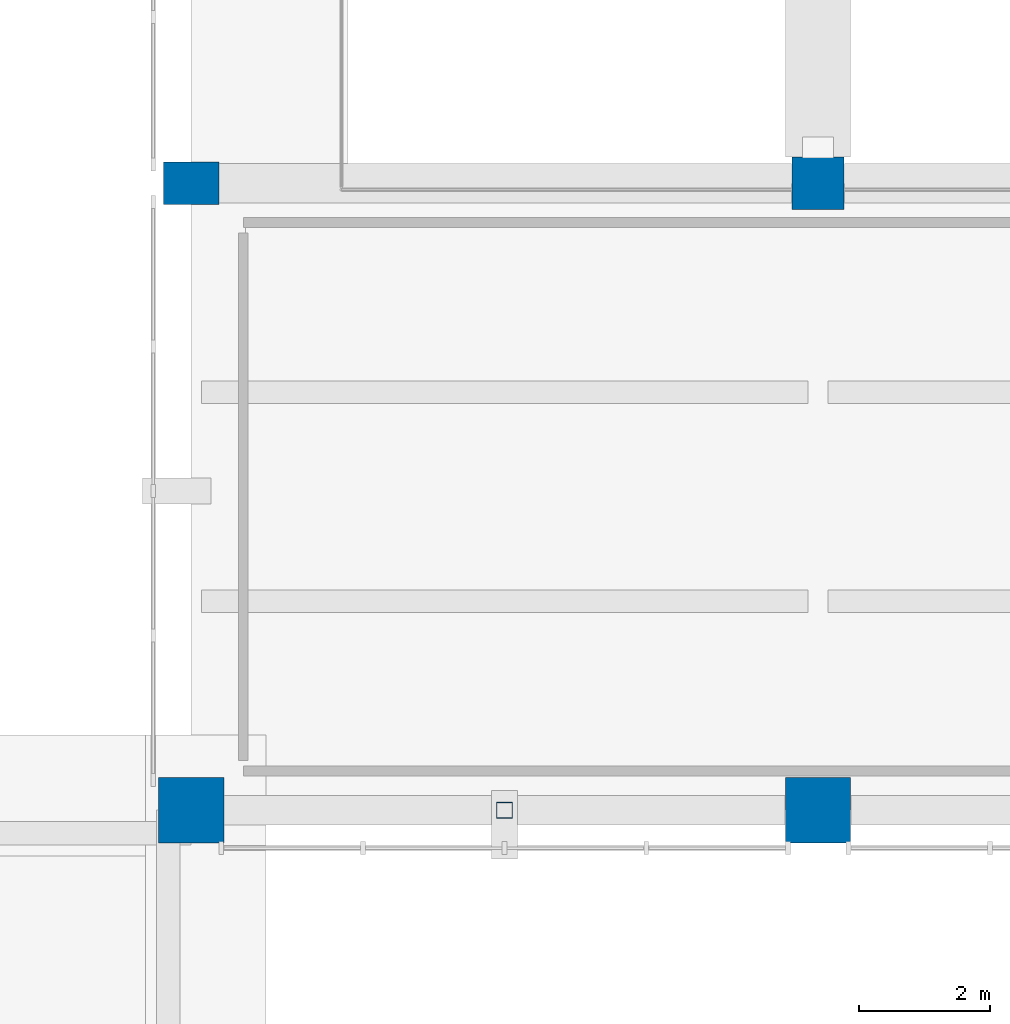
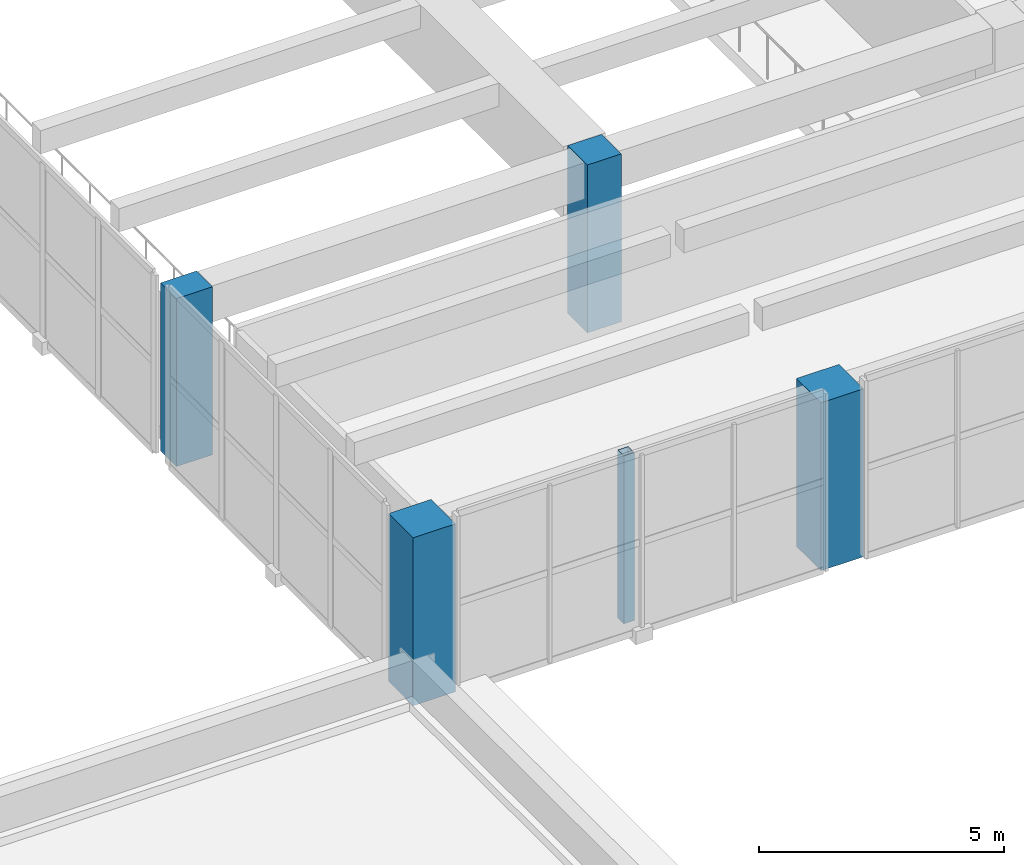
# One storey, part 1 of 49: 5 columns.
"""IFC4 building model written with IfcOpenShell, lengths in metres."""

from ifc_helpers import new_model, si_unit, direction, frame, origin, origin_2d, place, context, subcontext, project, spatial, rectangle, hollow_rectangle, extrude, material, material_profile, profile_set, type_object, element, save


model = new_model("IFC4")

# Units and contexts
model_context = context("Model", 3, precision=1e-05, world=origin(), true_north=direction((0.0, 1.0)))
body_context = subcontext(model_context, "Body", "Model", "MODEL_VIEW")
ifc_project = project(units=[si_unit("LENGTHUNIT", "METRE"), si_unit("AREAUNIT", "SQUARE_METRE"), si_unit("VOLUMEUNIT", "CUBIC_METRE"), si_unit("PLANEANGLEUNIT", "RADIAN"), si_unit("MASSUNIT", "GRAM", prefix="KILO")], contexts=[model_context])

# Site, building, storey
site_placement = place(None, origin())
site = spatial("IfcSite", under=ifc_project, at=site_placement, CompositionType="ELEMENT")
building_placement = place(site_placement, origin())
building = spatial("IfcBuilding", under=site, at=building_placement, Name="Bempovik Park Faculty of Sciences", CompositionType="ELEMENT")
storey_placement = place(building_placement, frame((0.0, 0.0, 5.39990234375)))
storey = spatial("IfcBuildingStorey", under=building, at=storey_placement, Name="L01", CompositionType="ELEMENT", Elevation=5.39990234375)

# Columns
ifc_material_1 = material(Name="Concrete C40/50", Category="concrete")
ifc_material_profile_1 = material_profile(ifc_material_1, rectangle(XDim=0.800048828125, YDim=0.800048828125, at=origin_2d()), Name="RC 800x800")
ifc_profile_set_1 = profile_set([ifc_material_profile_1], Name="Concrete C40/50")
column_type_1 = type_object("IfcColumnType", Name="C-33 RC 800x800", PredefinedType="COLUMN", material=ifc_profile_set_1)
column_1_placement = place(storey_placement, frame((69.60009765625, 29.39990234375, 0.0), z_axis=(0.0, 0.0, 1.0), x_axis=(1.0, 0.0, 0.0)))
element("IfcColumn", 1, at=column_1_placement, inside=storey, type_object=column_type_1, Name="L01 Structural Column (69.6,29.4)", PredefinedType="COLUMN", context=body_context, shape_type="SweptSolid", body=[
    extrude(rectangle(XDim=0.800048828125, YDim=0.800048828125, at=origin_2d()), origin(), (0.0, 0.0, 1.0), 4.18017578125),
])
ifc_material_2 = material(Name="Steel S355", Category="steel")
ifc_material_profile_2 = material_profile(ifc_material_2, hollow_rectangle(XDim=0.25, YDim=0.25, WallThickness=0.012451171875, at=origin_2d()), Name="SHS 250x250x12.5")
ifc_profile_set_2 = profile_set([ifc_material_profile_2], Name="Steel S355")
column_type_2 = type_object("IfcColumnType", Name="C-47 SHS 250x250x12.5", PredefinedType="COLUMN", material=ifc_profile_set_2)
column_2_placement = place(storey_placement, frame((64.800048828125, 19.800048828125, 0.0), z_axis=(0.0, 0.0, 1.0), x_axis=(1.0, 0.0, 0.0)))
element("IfcColumn", 2, at=column_2_placement, inside=storey, type_object=column_type_2, Name="Foyer Steel Mullion Column L01 (64.8)", PredefinedType="COLUMN", context=body_context, shape_type="SweptSolid", body=[
    extrude(hollow_rectangle(XDim=0.25, YDim=0.25, WallThickness=0.012451171875, at=origin_2d()), origin(), (0.0, 0.0, 1.0), 4.18017578125),
])
ifc_material_profile_3 = material_profile(ifc_material_1, rectangle(XDim=0.85009765625, YDim=0.64990234375, at=origin_2d()), Name="RC 850x650")
ifc_profile_set_3 = profile_set([ifc_material_profile_3], Name="Concrete C40/50")
column_type_3 = type_object("IfcColumnType", Name="C-71 RC 850x650", PredefinedType="COLUMN", material=ifc_profile_set_3)
column_3_placement = place(storey_placement, frame((60.0, 29.39990234375, 0.0), z_axis=(0.0, 0.0, 1.0), x_axis=(1.0, 0.0, 0.0)))
element("IfcColumn", 3, at=column_3_placement, inside=storey, type_object=column_type_3, Name="L01 Structural Column (60.0,29.4)", PredefinedType="COLUMN", context=body_context, shape_type="SweptSolid", body=[
    extrude(rectangle(XDim=0.85009765625, YDim=0.64990234375, at=origin_2d()), origin(), (0.0, 0.0, 1.0), 4.18017578125),
])
ifc_material_profile_4 = material_profile(ifc_material_1, rectangle(XDim=1.0, YDim=1.0, at=origin_2d()), Name="RC 1000x1000")
ifc_profile_set_4 = profile_set([ifc_material_profile_4], Name="Concrete C40/50")
column_type_4 = type_object("IfcColumnType", Name="C-84 RC 1000x1000", PredefinedType="COLUMN", material=ifc_profile_set_4)
for number, where, z_axis, x_axis, name in (
    (4, (60.0, 19.800048828125, 0.0), (0.0, 0.0, 1.0), (1.0, 0.0, 0.0), "L01 Structural Column (60.0,19.8)"),
    (5, (69.60009765625, 19.800048828125, 0.0), (0.0, 0.0, 1.0), (1.0, 0.0, 0.0), "L01 Structural Column (69.6,19.8)"),
):
    element("IfcColumn", number, at=place(storey_placement, frame(where, z_axis=z_axis, x_axis=x_axis)), inside=storey, type_object=column_type_4, Name=name, PredefinedType="COLUMN", context=body_context, shape_type="SweptSolid", body=[
        extrude(rectangle(XDim=1.0, YDim=1.0, at=origin_2d()), origin(), (0.0, 0.0, 1.0), 4.18017578125),
    ])

save(model, "model.ifc")
